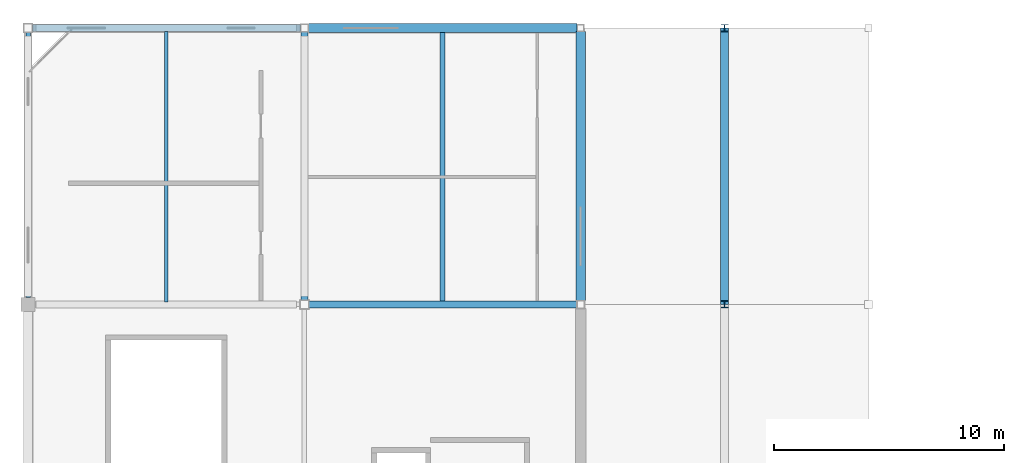
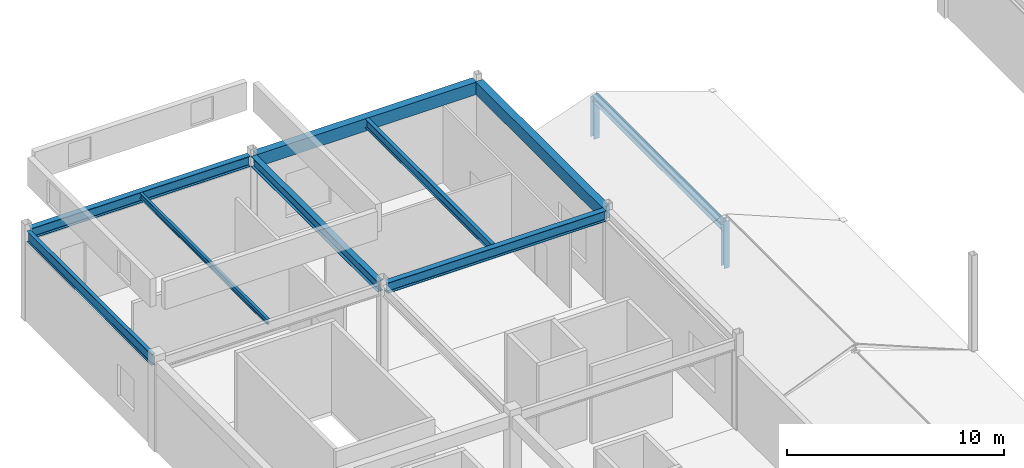
# One storey, part 41 of 76: 8 beams, 3 members.
"""IFC4 building model written with IfcOpenShell, lengths in metres."""

from ifc_helpers import new_model, si_unit, direction, frame, origin, origin_2d, place, context, subcontext, project, spatial, rectangle, i_section, extrude, material, material_profile, profile_set, type_object, element, save


model = new_model("IFC4")

# Units and contexts
model_context = context("Model", 3, precision=1e-05, world=origin(), true_north=direction((0.0, 1.0)))
body_context = subcontext(model_context, "Body", "Model", "MODEL_VIEW")
ifc_project = project(units=[si_unit("LENGTHUNIT", "METRE"), si_unit("AREAUNIT", "SQUARE_METRE"), si_unit("VOLUMEUNIT", "CUBIC_METRE"), si_unit("PLANEANGLEUNIT", "RADIAN"), si_unit("MASSUNIT", "GRAM", prefix="KILO")], contexts=[model_context])

# Site, building, storey
site_placement = place(None, origin())
site = spatial("IfcSite", under=ifc_project, at=site_placement, CompositionType="ELEMENT")
building_placement = place(site_placement, origin())
building = spatial("IfcBuilding", under=site, at=building_placement, Name="Kazenohara Klinker Stadium", CompositionType="ELEMENT")
storey_placement = place(building_placement, frame((0.0, 0.0, 25.800048828125)))
storey = spatial("IfcBuildingStorey", under=building, at=storey_placement, Name="L05", CompositionType="ELEMENT", Elevation=25.800048828125)

# Beams
ifc_material_1 = material(Name="Steel S355", Category="steel")
ifc_material_profile_1 = material_profile(ifc_material_1, i_section(OverallWidth=0.199951171875, OverallDepth=0.5, WebThickness=0.010009765625, FlangeThickness=0.01611328125, FilletRadius=0.012939453125, at=origin_2d()), Name="H-500x200x10x16")
ifc_profile_set_1 = profile_set([ifc_material_profile_1], Name="Steel S355")
beam_type_1 = type_object("IfcBeamType", Name="BM-JST01", PredefinedType="JOIST", material=ifc_profile_set_1)
beam_1_placement = place(storey_placement, frame((18.0, 156.14990234375, 4.7900390625), z_axis=(0.0, 1.0, 0.0), x_axis=(-1.0, 0.0, 0.0)))
element("IfcBeam", 1, at=beam_1_placement, inside=storey, type_object=beam_type_1, Name="Secondary floor joist SJ01 L05 2/P", PredefinedType="JOIST", context=body_context, shape_type="SweptSolid", body=[
    extrude(i_section(OverallWidth=0.199951171875, OverallDepth=0.5, WebThickness=0.010009765625, FlangeThickness=0.01611328125, FilletRadius=0.012939453125, at=origin_2d()), origin(), (0.0, 0.0, 1.0), 11.650146484375),
])
ifc_material_profile_2 = material_profile(ifc_material_1, i_section(OverallWidth=0.14990234375, OverallDepth=0.300048828125, WebThickness=0.006591796875, FlangeThickness=0.009033203125, FilletRadius=0.012939453125, at=origin_2d()), Name="H-300x150x6.5x9")
ifc_profile_set_2 = profile_set([ifc_material_profile_2], Name="Steel S355")
beam_type_2 = type_object("IfcBeamType", Name="BM-JST05", PredefinedType="JOIST", material=ifc_profile_set_2)
beam_2_placement = place(storey_placement, frame((6.0, 156.10009765625, 4.889892578125), z_axis=(0.0, 1.0, 0.0), x_axis=(-1.0, 0.0, 0.0)))
element("IfcBeam", 2, at=beam_2_placement, inside=storey, type_object=beam_type_2, Name="Secondary floor joist SJ05 L05 1/P", PredefinedType="JOIST", context=body_context, shape_type="SweptSolid", body=[
    extrude(i_section(OverallWidth=0.14990234375, OverallDepth=0.300048828125, WebThickness=0.006591796875, FlangeThickness=0.009033203125, FilletRadius=0.012939453125, at=origin_2d()), origin(), (0.0, 0.0, 1.0), 11.75),
])
ifc_material_2 = material(Name="Concrete C40/50", Category="concrete")
ifc_material_profile_3 = material_profile(ifc_material_2, rectangle(XDim=0.39990234375, YDim=0.699951171875, at=origin_2d()), Name="RC-BM-400x700")
ifc_profile_set_3 = profile_set([ifc_material_profile_3], Name="Concrete C40/50")
beam_type_3 = type_object("IfcBeamType", Name="BM-RC04", PredefinedType="BEAM", material=ifc_profile_set_3)
for number, where, z_axis, x_axis, name in (
    (3, (12.175048828125, 168.0, 4.68994140625), (1.0, 0.0, 0.0), (0.0, 1.0, 0.0), "Primary girder BG04 L05 2-3/Q"),
    (4, (24.0, 156.175048828125, 4.68994140625), (0.0, 1.0, 0.0), (-1.0, 0.0, 0.0), "Primary girder BG04 L05 3/P-Q"),
):
    element("IfcBeam", number, at=place(storey_placement, frame(where, z_axis=z_axis, x_axis=x_axis)), inside=storey, type_object=beam_type_3, Name=name, PredefinedType="BEAM", context=body_context, shape_type="SweptSolid", body=[
        extrude(rectangle(XDim=0.39990234375, YDim=0.699951171875, at=origin_2d()), origin(), (0.0, 0.0, 1.0), 11.675048828125),
    ])
ifc_material_profile_4 = material_profile(ifc_material_1, i_section(OverallWidth=0.199951171875, OverallDepth=0.60009765625, WebThickness=0.010986328125, FlangeThickness=0.01708984375, FilletRadius=0.012939453125, at=origin_2d()), Name="H-600x200x11x17")
ifc_profile_set_4 = profile_set([ifc_material_profile_4], Name="Steel S355")
beam_type_4 = type_object("IfcBeamType", Name="BM-ST04", PredefinedType="BEAM", material=ifc_profile_set_4)
beam_3_placement = place(storey_placement, frame((0.0, 156.300048828125, 4.739990234375), z_axis=(0.0, 1.0, 0.0), x_axis=(-1.0, 0.0, 0.0)))
element("IfcBeam", 5, at=beam_3_placement, inside=storey, type_object=beam_type_4, Name="Primary girder SB04 L05 1/P-Q", PredefinedType="BEAM", context=body_context, shape_type="SweptSolid", body=[
    extrude(i_section(OverallWidth=0.199951171875, OverallDepth=0.60009765625, WebThickness=0.010986328125, FlangeThickness=0.01708984375, FilletRadius=0.012939453125, at=origin_2d()), origin(), (0.0, 0.0, 1.0), 11.5),
])
ifc_material_profile_5 = material_profile(ifc_material_1, i_section(OverallWidth=0.300048828125, OverallDepth=0.587890625, WebThickness=0.011962890625, FlangeThickness=0.02001953125, FilletRadius=0.02197265625, at=origin_2d()), Name="H-588x300x12x20")
ifc_profile_set_5 = profile_set([ifc_material_profile_5], Name="Steel S355")
beam_type_5 = type_object("IfcBeamType", Name="BM-ST05", PredefinedType="BEAM", material=ifc_profile_set_5)
for number, where, z_axis, x_axis, name in (
    (6, (0.199951171875, 168.0, 4.745849609375), (1.0, 0.0, 0.0), (0.0, 1.0, 0.0), "Primary girder SB05 L05 1-2/Q"),
    (7, (12.199951171875, 156.0, 4.745849609375), (1.0, 0.0, 0.0), (0.0, 1.0, 0.0), "Primary girder SB05 L05 2-3/P"),
    (8, (12.0, 156.199951171875, 4.745849609375), (0.0, 1.0, 0.0), (-1.0, 0.0, 0.0), "Primary girder SB05 L05 2/P-Q"),
):
    element("IfcBeam", number, at=place(storey_placement, frame(where, z_axis=z_axis, x_axis=x_axis)), inside=storey, type_object=beam_type_5, Name=name, PredefinedType="BEAM", context=body_context, shape_type="SweptSolid", body=[
        extrude(i_section(OverallWidth=0.300048828125, OverallDepth=0.587890625, WebThickness=0.011962890625, FlangeThickness=0.02001953125, FilletRadius=0.02197265625, at=origin_2d()), origin(), (0.0, 0.0, 1.0), 11.625),
    ])

# Members
ifc_material_profile_6 = material_profile(ifc_material_1, i_section(OverallWidth=0.35009765625, OverallDepth=0.35009765625, WebThickness=0.011962890625, FlangeThickness=0.01904296875, FilletRadius=0.012939453125, at=origin_2d()), Name="H-350x350x12x19")
ifc_profile_set_6 = profile_set([ifc_material_profile_6], Name="Steel S355")
member_type_1 = type_object("IfcMemberType", Name="MEM-CHD02", PredefinedType="CHORD", material=ifc_profile_set_6)
member_1_placement = place(storey_placement, frame((30.25, 156.0, 1.829833984375), z_axis=(0.0, 1.0, 0.0), x_axis=(-1.0, 0.0, 0.0)))
element("IfcMember", 9, at=member_1_placement, inside=storey, type_object=member_type_1, Name="Stepped pavilion gable ridge beam L05 3/P", PredefinedType="CHORD", context=body_context, shape_type="SweptSolid", body=[
    extrude(i_section(OverallWidth=0.35009765625, OverallDepth=0.35009765625, WebThickness=0.011962890625, FlangeThickness=0.01904296875, FilletRadius=0.012939453125, at=origin_2d()), origin(), (0.0, 0.0, 1.0), 12.0),
])
ifc_material_profile_7 = material_profile(ifc_material_1, i_section(OverallWidth=0.300048828125, OverallDepth=0.300048828125, WebThickness=0.010009765625, FlangeThickness=0.014892578125, FilletRadius=0.012939453125, at=origin_2d()), Name="H-300x300x10x15")
ifc_profile_set_7 = profile_set([ifc_material_profile_7], Name="Steel S355")
member_type_2 = type_object("IfcMemberType", Name="MEM-STR01", PredefinedType="STRUT", material=ifc_profile_set_7)
member_2_placement = place(storey_placement, frame((30.25, 156.0, -0.429931640625), z_axis=(0.0, 0.0, 1.0), x_axis=(1.0, 0.0, 0.0)))
element("IfcMember", 10, at=member_2_placement, inside=storey, type_object=member_type_2, Name="Stepped pavilion gable king-post L05 3/N N", PredefinedType="STRUT", context=body_context, shape_type="SweptSolid", body=[
    extrude(i_section(OverallWidth=0.300048828125, OverallDepth=0.300048828125, WebThickness=0.010009765625, FlangeThickness=0.014892578125, FilletRadius=0.012939453125, at=origin_2d()), origin(), (0.0, 0.0, 1.0), 2.659912109375),
])
member_3_placement = place(storey_placement, frame((30.25, 168.0, -0.429931640625), z_axis=(0.0, 0.0, 1.0), x_axis=(1.0, 0.0, 0.0)))
element("IfcMember", 11, at=member_3_placement, inside=storey, type_object=member_type_2, Name="Stepped pavilion gable king-post L05 3/P N", PredefinedType="STRUT", context=body_context, shape_type="SweptSolid", body=[
    extrude(i_section(OverallWidth=0.300048828125, OverallDepth=0.300048828125, WebThickness=0.010009765625, FlangeThickness=0.014892578125, FilletRadius=0.012939453125, at=origin_2d()), origin(), (0.0, 0.0, 1.0), 2.259765625),
])

save(model, "model.ifc")
